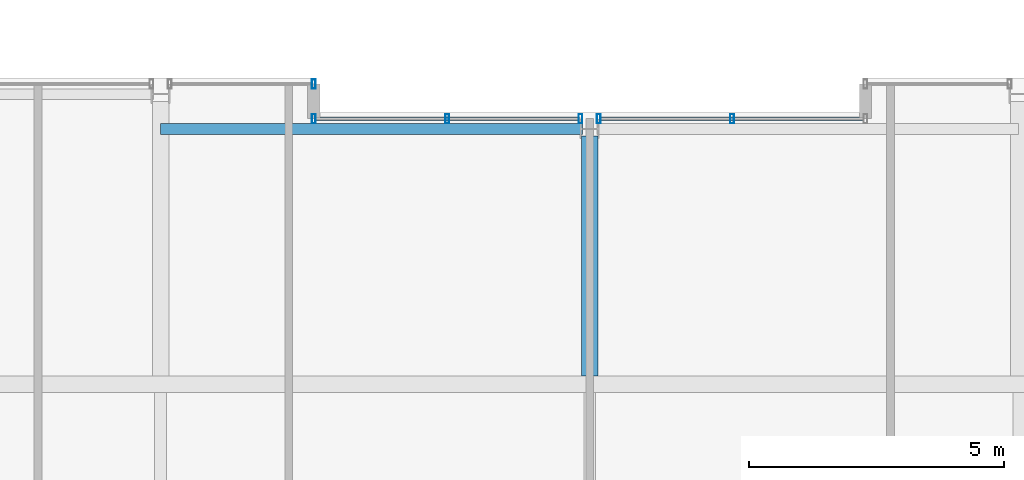
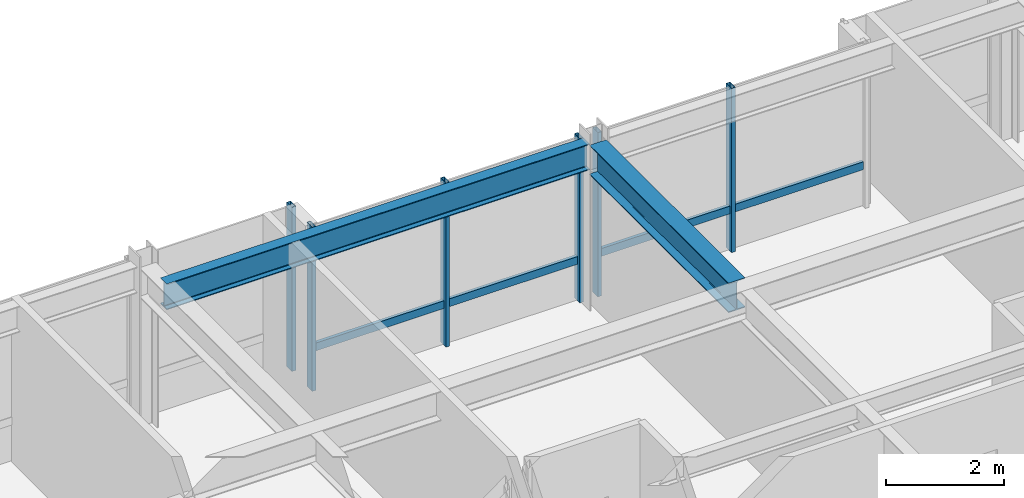
# One storey, part 23 of 33: 8 members, 2 beams, 3 elements without a shape of their own.
"""IFC4 building model written with IfcOpenShell, lengths in metres."""

from ifc_helpers import new_model, si_unit, direction, frame, origin, origin_2d, place, context, subcontext, project, spatial, hollow_rectangle, i_section, extrude, material, layer, layer_set, material_profile, profile_set, type_object, element, aggregate, save


model = new_model("IFC4")

# Units and contexts
model_context = context("Model", 3, precision=1e-05, world=origin(), true_north=direction((0.0, 1.0)))
body_context = subcontext(model_context, "Body", "Model", "MODEL_VIEW")
ifc_project = project(units=[si_unit("LENGTHUNIT", "METRE"), si_unit("AREAUNIT", "SQUARE_METRE"), si_unit("VOLUMEUNIT", "CUBIC_METRE"), si_unit("PLANEANGLEUNIT", "RADIAN"), si_unit("MASSUNIT", "GRAM", prefix="KILO")], contexts=[model_context])

# Site, building, storey
site_placement = place(None, origin())
site = spatial("IfcSite", under=ifc_project, at=site_placement, CompositionType="ELEMENT")
building_placement = place(site_placement, origin())
building = spatial("IfcBuilding", under=site, at=building_placement, Name="Drelvath Grand Hotel", CompositionType="ELEMENT")
storey_placement = place(building_placement, frame((0.0, 0.0, 268.64990234375)))
storey = spatial("IfcBuildingStorey", under=building, at=storey_placement, Name="L70", CompositionType="ELEMENT", Elevation=268.64990234375)

# Curtain wall, member
ifc_material_1 = material(Name="Platinum-Mist Anodised Aluminium Frame", Category="aluminium")
ifc_layer = layer(ifc_material_1, 0.199951171875)
ifc_layer_set = layer_set([ifc_layer], Name="Platinum-Mist Anodised Aluminium Frame")
curtain_wall_type = type_object("IfcCurtainWallType", Name="Stick Curtain Wall CW-05 Platinum Mist High-Rise", PredefinedType="NOTDEFINED", material=ifc_layer_set)
curtain_wall_1_placement = place(storey_placement, origin())
curtain_wall_1 = element("IfcCurtainWall", 1, at=curtain_wall_1_placement, inside=storey, type_object=curtain_wall_type, Name="L70 CW-05 Curtain Wall CW05-L70-NM1", PredefinedType="NOTDEFINED")
ifc_material_profile_1 = material_profile(ifc_material_1, hollow_rectangle(XDim=0.06494140625, YDim=0.159912109375, WallThickness=0.00390625, at=origin_2d()), Name="HSS160X65X4")
ifc_profile_set_1 = profile_set([ifc_material_profile_1], Name="Platinum-Mist Anodised Aluminium Frame")
member_type_1 = type_object("IfcMemberType", Name="Curtain Wall Horizontal Transom CW-05 HSS160X65X4", PredefinedType="USERDEFINED", material=ifc_profile_set_1)
member_1_placement = place(storey_placement, frame((-5.360107421875, 48.39990234375, 0.84765625), z_axis=(1.0, 0.0, 0.0), x_axis=(0.0, 1.0, 0.0)))
member_1 = element("IfcMember", 2, at=member_1_placement, type_object=member_type_1, Name="CW05-L70-NM1 Sill Transom", ObjectType="TRANSOM", PredefinedType="USERDEFINED", context=body_context, shape_type="SweptSolid", body=[
    extrude(hollow_rectangle(XDim=0.06494140625, YDim=0.159912109375, WallThickness=0.00390625, at=origin_2d()), origin(), (0.0, 0.0, 1.0), 5.141845703125),
])

curtain_wall_2_placement = place(storey_placement, origin())
curtain_wall_2 = element("IfcCurtainWall", 3, at=curtain_wall_2_placement, inside=storey, type_object=curtain_wall_type, Name="L70 CW-05 Curtain Wall CW05-L70-NM2", PredefinedType="NOTDEFINED")
member_2_placement = place(storey_placement, frame((0.21826171875, 48.39990234375, 0.84765625), z_axis=(1.0, 0.0, 0.0), x_axis=(0.0, 1.0, 0.0)))
member_2 = element("IfcMember", 4, at=member_2_placement, type_object=member_type_1, Name="CW05-L70-NM2 Sill Transom", ObjectType="TRANSOM", PredefinedType="USERDEFINED", context=body_context, shape_type="SweptSolid", body=[
    extrude(hollow_rectangle(XDim=0.06494140625, YDim=0.159912109375, WallThickness=0.00390625, at=origin_2d()), origin(), (0.0, 0.0, 1.0), 5.141845703125),
])

curtain_wall_3_placement = place(storey_placement, origin())
curtain_wall_3 = element("IfcCurtainWall", 5, at=curtain_wall_3_placement, inside=storey, type_object=curtain_wall_type, Name="L70 CW-05 Curtain Wall CW05-L70-NW2", PredefinedType="NOTDEFINED")
ifc_material_profile_2 = material_profile(ifc_material_1, hollow_rectangle(XDim=0.074951171875, YDim=0.179931640625, WallThickness=0.0048828125, at=origin_2d()), Name="HSS180X75X5")
ifc_profile_set_2 = profile_set([ifc_material_profile_2], Name="Platinum-Mist Anodised Aluminium Frame")
member_type_2 = type_object("IfcMemberType", Name="Curtain Wall Vertical Mullion CW-05 HSS180X75X5", PredefinedType="MULLION", material=ifc_profile_set_2)
member_3_placement = place(storey_placement, frame((-5.39990234375, 49.080078125, 0.0), z_axis=(0.0, 0.0, 1.0), x_axis=(1.0, 0.0, 0.0)))
member_3 = element("IfcMember", 6, at=member_3_placement, type_object=member_type_2, Name="CW05-L70-NW2 Mullion 2", PredefinedType="MULLION", context=body_context, shape_type="SweptSolid", body=[
    extrude(hollow_rectangle(XDim=0.074951171875, YDim=0.179931640625, WallThickness=0.0048828125, at=origin_2d()), origin(), (0.0, 0.0, 1.0), 3.39013671875),
])
aggregate(curtain_wall_3, [member_3])

# Member
member_4_placement = place(storey_placement, frame((-5.39990234375, 48.39990234375, 0.0), z_axis=(0.0, 0.0, 1.0), x_axis=(1.0, 0.0, 0.0)))
member_4 = element("IfcMember", 7, at=member_4_placement, type_object=member_type_2, Name="CW05-L70-NM1 Mullion 1", PredefinedType="MULLION", context=body_context, shape_type="SweptSolid", body=[
    extrude(hollow_rectangle(XDim=0.074951171875, YDim=0.179931640625, WallThickness=0.0048828125, at=origin_2d()), origin(), (0.0, 0.0, 1.0), 3.39013671875),
])

member_5_placement = place(storey_placement, frame((-2.7890625, 48.39990234375, 0.0), z_axis=(0.0, 0.0, 1.0), x_axis=(1.0, 0.0, 0.0)))
member_5 = element("IfcMember", 8, at=member_5_placement, type_object=member_type_2, Name="CW05-L70-NM1 Mullion 2", PredefinedType="MULLION", context=body_context, shape_type="SweptSolid", body=[
    extrude(hollow_rectangle(XDim=0.074951171875, YDim=0.179931640625, WallThickness=0.0048828125, at=origin_2d()), origin(), (0.0, 0.0, 1.0), 3.39013671875),
])

member_6_placement = place(storey_placement, frame((-0.17822265625, 48.39990234375, 0.0), z_axis=(0.0, 0.0, 1.0), x_axis=(1.0, 0.0, 0.0)))
member_6 = element("IfcMember", 9, at=member_6_placement, type_object=member_type_2, Name="CW05-L70-NM1 Mullion 3", PredefinedType="MULLION", context=body_context, shape_type="SweptSolid", body=[
    extrude(hollow_rectangle(XDim=0.074951171875, YDim=0.179931640625, WallThickness=0.0048828125, at=origin_2d()), origin(), (0.0, 0.0, 1.0), 3.39013671875),
])

aggregate(curtain_wall_1, [member_4, member_5, member_6, member_1])

member_7_placement = place(storey_placement, frame((0.17822265625, 48.39990234375, 0.0), z_axis=(0.0, 0.0, 1.0), x_axis=(1.0, 0.0, 0.0)))
member_7 = element("IfcMember", 10, at=member_7_placement, type_object=member_type_2, Name="CW05-L70-NM2 Mullion 1", PredefinedType="MULLION", context=body_context, shape_type="SweptSolid", body=[
    extrude(hollow_rectangle(XDim=0.074951171875, YDim=0.179931640625, WallThickness=0.0048828125, at=origin_2d()), origin(), (0.0, 0.0, 1.0), 3.39013671875),
])

member_8_placement = place(storey_placement, frame((2.7890625, 48.39990234375, 0.0), z_axis=(0.0, 0.0, 1.0), x_axis=(1.0, 0.0, 0.0)))
member_8 = element("IfcMember", 11, at=member_8_placement, type_object=member_type_2, Name="CW05-L70-NM2 Mullion 2", PredefinedType="MULLION", context=body_context, shape_type="SweptSolid", body=[
    extrude(hollow_rectangle(XDim=0.074951171875, YDim=0.179931640625, WallThickness=0.0048828125, at=origin_2d()), origin(), (0.0, 0.0, 1.0), 3.39013671875),
])

aggregate(curtain_wall_2, [member_7, member_8, member_2])

# Beams
ifc_material_2 = material(Name="Steel ASTM A992 Gr 50", Category="steel")
ifc_material_profile_3 = material_profile(ifc_material_2, i_section(OverallWidth=0.210205078125, OverallDepth=0.53662109375, WebThickness=0.010986328125, FlangeThickness=0.017333984375, FilletRadius=0.01806640625, at=origin_2d()), Name="W21X68")
ifc_profile_set_3 = profile_set([ifc_material_profile_3], Name="Steel ASTM A992 Gr 50")
beam_type_1 = type_object("IfcBeamType", Name="Perimeter Spandrel Beam W21X68", PredefinedType="SPANDREL", material=ifc_profile_set_3)
beam_1_placement = place(storey_placement, frame((-8.39990234375, 48.199951171875, 3.121826171875), z_axis=(1.0, 0.0, 0.0), x_axis=(0.0, 1.0, 0.0)))
element("IfcBeam", 12, at=beam_1_placement, inside=storey, type_object=beam_type_1, Name="L70 Spandrel North Mid W", PredefinedType="SPANDREL", context=body_context, shape_type="SweptSolid", body=[
    extrude(i_section(OverallWidth=0.210205078125, OverallDepth=0.53662109375, WebThickness=0.010986328125, FlangeThickness=0.017333984375, FilletRadius=0.01806640625, at=origin_2d()), origin(), (0.0, 0.0, 1.0), 8.260009765625),
])
ifc_material_profile_4 = material_profile(ifc_material_2, i_section(OverallWidth=0.323974609375, OverallDepth=0.611083984375, WebThickness=0.0126953125, FlangeThickness=0.01904296875, FilletRadius=0.02197265625, at=origin_2d()), Name="W24X104")
ifc_profile_set_4 = profile_set([ifc_material_profile_4], Name="Steel ASTM A992 Gr 50")
beam_type_2 = type_object("IfcBeamType", Name="Primary Floor Girder W24X104", PredefinedType="BEAM", material=ifc_profile_set_4)
beam_2_placement = place(storey_placement, frame((0.0, 43.362060546875, 3.084716796875), z_axis=(0.0, 1.0, 0.0), x_axis=(-1.0, 0.0, 0.0)))
element("IfcBeam", 13, at=beam_2_placement, inside=storey, type_object=beam_type_2, Name="L70 North Wing Girder 5", PredefinedType="BEAM", context=body_context, shape_type="SweptSolid", body=[
    extrude(i_section(OverallWidth=0.323974609375, OverallDepth=0.611083984375, WebThickness=0.0126953125, FlangeThickness=0.01904296875, FilletRadius=0.02197265625, at=origin_2d()), origin(), (0.0, 0.0, 1.0), 4.697998046875),
])

save(model, "model.ifc")
